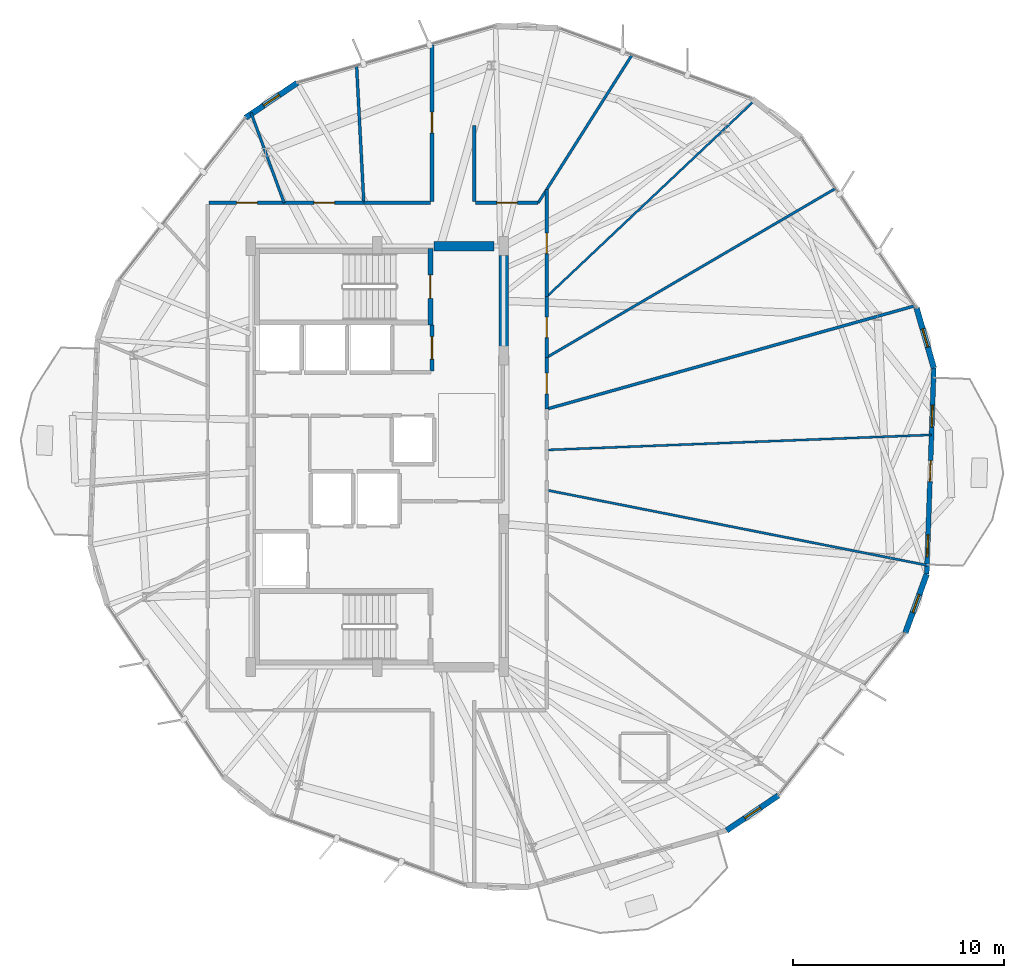
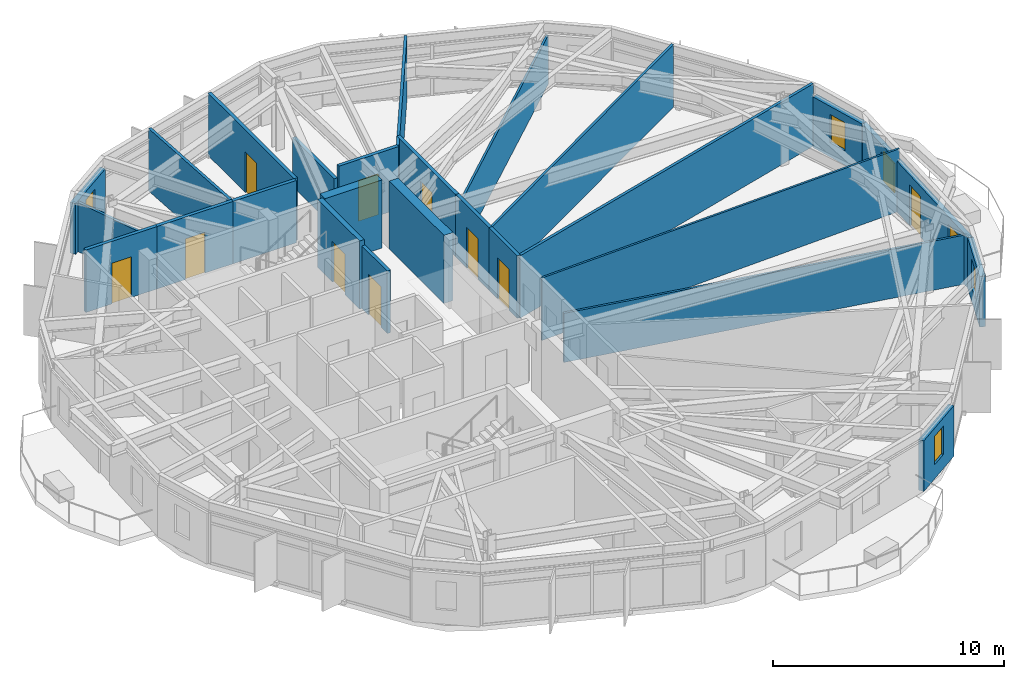
# One storey, part 26 of 30: 26 walls, 10 doors, 6 windows, 16 openings.
"""IFC4 building model written with IfcOpenShell, lengths in metres."""

from ifc_helpers import new_model, si_unit, direction, frame, frame_2d, origin, place, context, subcontext, project, spatial, rectangle, extrude, material, layer, layer_set, type_object, element, fill, save


model = new_model("IFC4")

# Units and contexts
model_context = context("Model", 3, precision=1e-05, world=origin(), true_north=direction((0.0, 1.0)))
body_context = subcontext(model_context, "Body", "Model", "MODEL_VIEW")
ifc_project = project(units=[si_unit("LENGTHUNIT", "METRE"), si_unit("AREAUNIT", "SQUARE_METRE"), si_unit("VOLUMEUNIT", "CUBIC_METRE"), si_unit("PLANEANGLEUNIT", "RADIAN"), si_unit("MASSUNIT", "GRAM", prefix="KILO")], contexts=[model_context])

# Site, building, storey
site_placement = place(None, origin())
site = spatial("IfcSite", under=ifc_project, at=site_placement, CompositionType="ELEMENT")
building_placement = place(site_placement, origin())
building = spatial("IfcBuilding", under=site, at=building_placement, Name="Soratama Intermodal Tower", CompositionType="ELEMENT")
storey_placement = place(building_placement, frame((0.0, 0.0, 223.0)))
storey = spatial("IfcBuildingStorey", under=building, at=storey_placement, Name="L56", CompositionType="ELEMENT", Elevation=223.0)

# Wall, openings, door, windows
ifc_material_1 = material(Name="Concrete f'c 42 MPa", Category="concrete")
ifc_layer_1 = layer(ifc_material_1, 0.22998046875)
ifc_layer_set_1 = layer_set([ifc_layer_1], Name="Concrete f'c 42 MPa")
wall_type_1 = type_object("IfcWallType", Name="EW-BAL-230", PredefinedType="SOLIDWALL", material=ifc_layer_set_1)
wall_1_placement = place(storey_placement, frame((64.696044921875, 19.417236328125, 0.0), z_axis=(0.0, 0.0, 1.0), x_axis=(0.034536942247, 0.999403421857, 0.0)))
wall_1 = element("IfcWall", 1, at=wall_1_placement, inside=storey, type_object=wall_type_1, Name="L56 Terrace Wall F09", PredefinedType="SOLIDWALL", context=body_context, shape_type="SweptSolid", body=[
    extrude(rectangle(XDim=9.797607421875, YDim=0.22998046875, at=frame_2d((4.89892578125, 0.0))), origin(), (0.0, 0.0, 1.0), 2.678955078125),
])
opening_1_placement = place(wall_1_placement, frame((4.398681640625, 0.0, 0.0)))
opening_1 = element("IfcOpeningElement", 2, at=opening_1_placement, cuts=wall_1, Name="Opening ED-2", PredefinedType="OPENING", context=body_context, shape_type="SweptSolid", body=[
    extrude(rectangle(XDim=1.0, YDim=2.14990234375, at=frame_2d((0.5, 1.074951171875))), frame((0.0, 0.125, 0.0), z_axis=(0.0, -1.0, 0.0), x_axis=(1.0, 0.0, 0.0)), (0.0, 0.0, 1.0), 0.25),
])
opening_2_placement = place(wall_1_placement, frame((0.818115234375, 0.0, 0.719970703125)))
opening_2 = element("IfcOpeningElement", 3, at=opening_2_placement, cuts=wall_1, Name="Opening WN-5", PredefinedType="OPENING", context=body_context, shape_type="SweptSolid", body=[
    extrude(rectangle(XDim=1.050048828125, YDim=1.550048828125, at=frame_2d((0.52490234375, 0.77490234375))), frame((0.0, 0.125, 0.0), z_axis=(0.0, -1.0, 0.0), x_axis=(1.0, 0.0, 0.0)), (0.0, 0.0, 1.0), 0.25),
])
opening_3_placement = place(wall_1_placement, frame((6.984130859375, 0.0, 0.719970703125)))
opening_3 = element("IfcOpeningElement", 4, at=opening_3_placement, cuts=wall_1, Name="Opening WN-5", PredefinedType="OPENING", context=body_context, shape_type="SweptSolid", body=[
    extrude(rectangle(XDim=1.050048828125, YDim=1.550048828125, at=frame_2d((0.52490234375, 0.77490234375))), frame((0.0, 0.125, 0.0), z_axis=(0.0, -1.0, 0.0), x_axis=(1.0, 0.0, 0.0)), (0.0, 0.0, 1.0), 0.25),
])
ifc_material_2 = material(Name="Double-glazed aluminium door", Category="aluminium")
door_type_1 = type_object("IfcDoorType", Name="DR-BAL-1000", OperationType="NOTDEFINED", PredefinedType="DOOR", material=ifc_material_2)
door_1_placement = place(opening_1_placement, origin())
door_1 = element("IfcDoor", 5, at=door_1_placement, inside=storey, type_object=door_type_1, Name="L56 Balcony Door F09", OperationType="SINGLE_SWING_LEFT", OverallHeight=2.14990234375, OverallWidth=1.0, PredefinedType="DOOR", context=body_context, shape_type="SweptSolid", body=[
    extrude(rectangle(XDim=1.0, YDim=2.14990234375, at=frame_2d((0.5, 1.074951171875))), frame((0.0, 0.02490234375, 0.0), z_axis=(0.0, -1.0, 0.0), x_axis=(1.0, 0.0, 0.0)), (0.0, 0.0, 1.0), 0.050048828125),
])
fill(opening_1, door_1)
ifc_material_3 = material(Name="Double-glazed aluminium window", Category="aluminium")
window_type_1 = type_object("IfcWindowType", Name="WN-FAC-1050", PartitioningType="SINGLE_PANEL", PredefinedType="WINDOW", material=ifc_material_3)
window_1_placement = place(opening_2_placement, origin())
window_1 = element("IfcWindow", 6, at=window_1_placement, inside=storey, type_object=window_type_1, Name="L56 Window A F09", OverallHeight=1.550048828125, OverallWidth=1.050048828125, PartitioningType="SINGLE_PANEL", PredefinedType="WINDOW", context=body_context, shape_type="SweptSolid", body=[
    extrude(rectangle(XDim=1.050048828125, YDim=1.550048828125, at=frame_2d((0.52490234375, 0.77490234375))), frame((0.0, 0.030029296875, 0.0), z_axis=(0.0, -1.0, 0.0), x_axis=(1.0, 0.0, 0.0)), (0.0, 0.0, 1.0), 0.06005859375),
])
fill(opening_2, window_1)
window_2_placement = place(opening_3_placement, origin())
window_2 = element("IfcWindow", 7, at=window_2_placement, inside=storey, type_object=window_type_1, Name="L56 Window B F09", OverallHeight=1.550048828125, OverallWidth=1.050048828125, PartitioningType="SINGLE_PANEL", PredefinedType="WINDOW", context=body_context, shape_type="SweptSolid", body=[
    extrude(rectangle(XDim=1.050048828125, YDim=1.550048828125, at=frame_2d((0.52490234375, 0.77490234375))), frame((0.0, 0.030029296875, 0.0), z_axis=(0.0, -1.0, 0.0), x_axis=(1.0, 0.0, 0.0)), (0.0, 0.0, 1.0), 0.06005859375),
])
fill(opening_3, window_2)

# Wall, opening, window
ifc_material_4 = material(Name="Concrete f'c 42 MPa", Category="concrete")
ifc_layer_2 = layer(ifc_material_4, 0.27001953125)
ifc_layer_set_2 = layer_set([ifc_layer_2], Name="Concrete f'c 42 MPa")
wall_type_2 = type_object("IfcWallType", Name="EW-CRN-270", PredefinedType="SOLIDWALL", material=ifc_layer_set_2)
wall_2_placement = place(storey_placement, frame((34.805908203125, 42.753173828125, 0.0), z_axis=(0.0, 0.0, 1.0), x_axis=(-0.828845811755, -0.559477095453, 0.0)))
wall_2 = element("IfcWall", 8, at=wall_2_placement, inside=storey, type_object=wall_type_2, Name="L56 Corner Closure Wall 02", PredefinedType="SOLIDWALL", context=body_context, shape_type="SweptSolid", body=[
    extrude(rectangle(XDim=2.966552734375, YDim=0.27001953125, at=frame_2d((1.4833984375, 0.0))), origin(), (0.0, 0.0, 1.0), 2.678955078125),
])
opening_4_placement = place(wall_2_placement, frame((1.033203125, 0.0, 0.75)))
opening_4 = element("IfcOpeningElement", 9, at=opening_4_placement, cuts=wall_2, Name="Opening WN-6", PredefinedType="OPENING", context=body_context, shape_type="SweptSolid", body=[
    extrude(rectangle(XDim=0.89990234375, YDim=1.5, at=frame_2d((0.449951171875, 0.75))), frame((0.0, 0.14501953125, 0.0), z_axis=(0.0, -1.0, 0.0), x_axis=(1.0, 0.0, 0.0)), (0.0, 0.0, 1.0), 0.2900390625),
])
ifc_material_5 = material(Name="Double-glazed aluminium window", Category="aluminium")
window_type_2 = type_object("IfcWindowType", Name="WN-FAC-900", PartitioningType="SINGLE_PANEL", PredefinedType="WINDOW", material=ifc_material_5)
window_3_placement = place(opening_4_placement, origin())
window_3 = element("IfcWindow", 10, at=window_3_placement, inside=storey, type_object=window_type_2, Name="L56 Corner Window 02", OverallHeight=1.5, OverallWidth=0.89990234375, PartitioningType="SINGLE_PANEL", PredefinedType="WINDOW", context=body_context, shape_type="SweptSolid", body=[
    extrude(rectangle(XDim=0.89990234375, YDim=1.5, at=frame_2d((0.449951171875, 0.75))), frame((0.0, 0.030029296875, 0.0), z_axis=(0.0, -1.0, 0.0), x_axis=(1.0, 0.0, 0.0)), (0.0, 0.0, 1.0), 0.06005859375),
])
fill(opening_4, window_3)

wall_3_placement = place(storey_placement, frame((55.194091796875, 7.246826171875, 0.0), z_axis=(0.0, 0.0, 1.0), x_axis=(0.828845811755, 0.559477095453, 0.0)))
wall_3 = element("IfcWall", 11, at=wall_3_placement, inside=storey, type_object=wall_type_2, Name="L56 Corner Closure Wall 07", PredefinedType="SOLIDWALL", context=body_context, shape_type="SweptSolid", body=[
    extrude(rectangle(XDim=2.966552734375, YDim=0.27001953125, at=frame_2d((1.4833984375, 0.0))), origin(), (0.0, 0.0, 1.0), 2.678955078125),
])
opening_5_placement = place(wall_3_placement, frame((1.033203125, 0.0, 0.75)))
opening_5 = element("IfcOpeningElement", 12, at=opening_5_placement, cuts=wall_3, Name="Opening WN-6", PredefinedType="OPENING", context=body_context, shape_type="SweptSolid", body=[
    extrude(rectangle(XDim=0.89990234375, YDim=1.5, at=frame_2d((0.449951171875, 0.75))), frame((0.0, 0.14501953125, 0.0), z_axis=(0.0, -1.0, 0.0), x_axis=(1.0, 0.0, 0.0)), (0.0, 0.0, 1.0), 0.2900390625),
])
window_4_placement = place(opening_5_placement, origin())
window_4 = element("IfcWindow", 13, at=window_4_placement, inside=storey, type_object=window_type_2, Name="L56 Corner Window 07", OverallHeight=1.5, OverallWidth=0.89990234375, PartitioningType="SINGLE_PANEL", PredefinedType="WINDOW", context=body_context, shape_type="SweptSolid", body=[
    extrude(rectangle(XDim=0.89990234375, YDim=1.5, at=frame_2d((0.449951171875, 0.75))), frame((0.0, 0.030029296875, 0.0), z_axis=(0.0, -1.0, 0.0), x_axis=(1.0, 0.0, 0.0)), (0.0, 0.0, 1.0), 0.06005859375),
])
fill(opening_5, window_4)

wall_4_placement = place(storey_placement, frame((63.682373046875, 16.62939453125, 0.0), z_axis=(0.0, 0.0, 1.0), x_axis=(0.341716630291, 0.939803034993, 0.0)))
wall_4 = element("IfcWall", 14, at=wall_4_placement, inside=storey, type_object=wall_type_2, Name="L56 Corner Closure Wall 08", PredefinedType="SOLIDWALL", context=body_context, shape_type="SweptSolid", body=[
    extrude(rectangle(XDim=2.96630859375, YDim=0.27001953125, at=frame_2d((1.483154296875, 0.0))), origin(), (0.0, 0.0, 1.0), 2.678955078125),
])
opening_6_placement = place(wall_4_placement, frame((1.033203125, 0.0, 0.75)))
opening_6 = element("IfcOpeningElement", 15, at=opening_6_placement, cuts=wall_4, Name="Opening WN-6", PredefinedType="OPENING", context=body_context, shape_type="SweptSolid", body=[
    extrude(rectangle(XDim=0.89990234375, YDim=1.5, at=frame_2d((0.449951171875, 0.75))), frame((0.0, 0.14501953125, 0.0), z_axis=(0.0, -1.0, 0.0), x_axis=(1.0, 0.0, 0.0)), (0.0, 0.0, 1.0), 0.2900390625),
])
window_5_placement = place(opening_6_placement, origin())
window_5 = element("IfcWindow", 16, at=window_5_placement, inside=storey, type_object=window_type_2, Name="L56 Corner Window 08", OverallHeight=1.5, OverallWidth=0.89990234375, PartitioningType="SINGLE_PANEL", PredefinedType="WINDOW", context=body_context, shape_type="SweptSolid", body=[
    extrude(rectangle(XDim=0.89990234375, YDim=1.5, at=frame_2d((0.449951171875, 0.75))), frame((0.0, 0.030029296875, 0.0), z_axis=(0.0, -1.0, 0.0), x_axis=(1.0, 0.0, 0.0)), (0.0, 0.0, 1.0), 0.06005859375),
])
fill(opening_6, window_5)

wall_5_placement = place(storey_placement, frame((65.034423828125, 29.208984375, 0.0), z_axis=(0.0, 0.0, 1.0), x_axis=(-0.275927353379, 0.961178493131, 0.0)))
wall_5 = element("IfcWall", 17, at=wall_5_placement, inside=storey, type_object=wall_type_2, Name="L56 Corner Closure Wall 09", PredefinedType="SOLIDWALL", context=body_context, shape_type="SweptSolid", body=[
    extrude(rectangle(XDim=2.966796875, YDim=0.27001953125, at=frame_2d((1.4833984375, 0.0))), origin(), (0.0, 0.0, 1.0), 2.678955078125),
])
opening_7_placement = place(wall_5_placement, frame((1.033203125, 0.0, 0.75)))
opening_7 = element("IfcOpeningElement", 18, at=opening_7_placement, cuts=wall_5, Name="Opening WN-6", PredefinedType="OPENING", context=body_context, shape_type="SweptSolid", body=[
    extrude(rectangle(XDim=0.89990234375, YDim=1.5, at=frame_2d((0.449951171875, 0.75))), frame((0.0, 0.14501953125, 0.0), z_axis=(0.0, -1.0, 0.0), x_axis=(1.0, 0.0, 0.0)), (0.0, 0.0, 1.0), 0.2900390625),
])
window_6_placement = place(opening_7_placement, origin())
window_6 = element("IfcWindow", 19, at=window_6_placement, inside=storey, type_object=window_type_2, Name="L56 Corner Window 09", OverallHeight=1.5, OverallWidth=0.89990234375, PartitioningType="SINGLE_PANEL", PredefinedType="WINDOW", context=body_context, shape_type="SweptSolid", body=[
    extrude(rectangle(XDim=0.89990234375, YDim=1.5, at=frame_2d((0.449951171875, 0.75))), frame((0.0, 0.030029296875, 0.0), z_axis=(0.0, -1.0, 0.0), x_axis=(1.0, 0.0, 0.0)), (0.0, 0.0, 1.0), 0.06005859375),
])
fill(opening_7, window_6)

# Wall, opening, door
ifc_material_6 = material(Name="Fire-rated gypsum stud partition", Category="concrete")
ifc_layer_3 = layer(ifc_material_6, 0.169921875)
ifc_layer_set_3 = layer_set([ifc_layer_3], Name="Fire-rated gypsum stud partition")
wall_type_3 = type_object("IfcWallType", Name="IW-PART-R170", PredefinedType="PARTITIONING", material=ifc_layer_set_3)
wall_6_placement = place(storey_placement, frame((41.199951171875, 37.1201171875, 0.0), z_axis=(0.0, 0.0, 1.0), x_axis=(0.0, 1.0, 0.0)))
wall_6 = element("IfcWall", 20, at=wall_6_placement, inside=storey, type_object=wall_type_3, Name="L56 Partition W-L56-TP011", PredefinedType="PARTITIONING", context=body_context, shape_type="SweptSolid", body=[
    extrude(rectangle(XDim=7.468994140625, YDim=0.169921875, at=frame_2d((3.734375, 0.0))), origin(), (0.0, 0.0, 1.0), 3.300048828125),
])
opening_8_placement = place(wall_6_placement, frame((3.260009765625, 0.0, 0.0)))
opening_8 = element("IfcOpeningElement", 21, at=opening_8_placement, cuts=wall_6, Name="Opening ID-5", PredefinedType="OPENING", context=body_context, shape_type="SweptSolid", body=[
    extrude(rectangle(XDim=0.97998046875, YDim=2.14990234375, at=frame_2d((0.489990234375, 1.074951171875))), frame((0.0, 0.094970703125, 0.0), z_axis=(0.0, -1.0, 0.0), x_axis=(1.0, 0.0, 0.0)), (0.0, 0.0, 1.0), 0.18994140625),
])
ifc_material_7 = material(Name="Solid hardwood acoustic door", Category="wood")
door_type_2 = type_object("IfcDoorType", Name="DR-OFF-980", OperationType="NOTDEFINED", PredefinedType="DOOR", material=ifc_material_7)
door_2_placement = place(opening_8_placement, origin())
door_2 = element("IfcDoor", 22, at=door_2_placement, inside=storey, type_object=door_type_2, Name="L56 Door D-L56-TP002", OperationType="SINGLE_SWING_LEFT", OverallHeight=2.14990234375, OverallWidth=0.97998046875, PredefinedType="DOOR", context=body_context, shape_type="SweptSolid", body=[
    extrude(rectangle(XDim=0.97998046875, YDim=2.14990234375, at=frame_2d((0.489990234375, 1.074951171875))), frame((0.0, 0.02490234375, 0.0), z_axis=(0.0, -1.0, 0.0), x_axis=(1.0, 0.0, 0.0)), (0.0, 0.0, 1.0), 0.050048828125),
])
fill(opening_8, door_2)

wall_7_placement = place(storey_placement, frame((46.64990234375, 37.69189453125, 0.0), z_axis=(0.0, 0.0, 1.0), x_axis=(0.0, -1.0, 0.0)))
wall_7 = element("IfcWall", 23, at=wall_7_placement, inside=storey, type_object=wall_type_3, Name="L56 Partition W-L56-TP023", PredefinedType="PARTITIONING", context=body_context, shape_type="SweptSolid", body=[
    extrude(rectangle(XDim=5.094970703125, YDim=0.169921875, at=frame_2d((2.54736328125, 0.0))), origin(), (0.0, 0.0, 1.0), 3.300048828125),
])
opening_9_placement = place(wall_7_placement, frame((2.072021484375, 0.0, 0.0)))
opening_9 = element("IfcOpeningElement", 24, at=opening_9_placement, cuts=wall_7, Name="Opening ID-5", PredefinedType="OPENING", context=body_context, shape_type="SweptSolid", body=[
    extrude(rectangle(XDim=0.97998046875, YDim=2.14990234375, at=frame_2d((0.489990234375, 1.074951171875))), frame((0.0, 0.094970703125, 0.0), z_axis=(0.0, -1.0, 0.0), x_axis=(1.0, 0.0, 0.0)), (0.0, 0.0, 1.0), 0.18994140625),
])
door_3_placement = place(opening_9_placement, origin())
door_3 = element("IfcDoor", 25, at=door_3_placement, inside=storey, type_object=door_type_2, Name="L56 Door D-L56-TP008", OperationType="SINGLE_SWING_LEFT", OverallHeight=2.14990234375, OverallWidth=0.97998046875, PredefinedType="DOOR", context=body_context, shape_type="SweptSolid", body=[
    extrude(rectangle(XDim=0.97998046875, YDim=2.14990234375, at=frame_2d((0.489990234375, 1.074951171875))), frame((0.0, 0.02490234375, 0.0), z_axis=(0.0, -1.0, 0.0), x_axis=(1.0, 0.0, 0.0)), (0.0, 0.0, 1.0), 0.050048828125),
])
fill(opening_9, door_3)

wall_8_placement = place(storey_placement, frame((34.177978515625, 37.050048828125, 0.0), z_axis=(0.0, 0.0, 1.0), x_axis=(1.0, 0.0, 0.0)))
wall_8 = element("IfcWall", 26, at=wall_8_placement, inside=storey, type_object=wall_type_3, Name="L56 Partition W-L56-TP028", PredefinedType="PARTITIONING", context=body_context, shape_type="SweptSolid", body=[
    extrude(rectangle(XDim=3.784912109375, YDim=0.169921875, at=frame_2d((1.892578125, 0.0))), origin(), (0.0, 0.0, 1.0), 3.300048828125),
])
opening_10_placement = place(wall_8_placement, frame((1.41796875, 0.0, 0.0)))
opening_10 = element("IfcOpeningElement", 27, at=opening_10_placement, cuts=wall_8, Name="Opening ID-5", PredefinedType="OPENING", context=body_context, shape_type="SweptSolid", body=[
    extrude(rectangle(XDim=0.97998046875, YDim=2.14990234375, at=frame_2d((0.489990234375, 1.074951171875))), frame((0.0, 0.094970703125, 0.0), z_axis=(0.0, -1.0, 0.0), x_axis=(1.0, 0.0, 0.0)), (0.0, 0.0, 1.0), 0.18994140625),
])
door_4_placement = place(opening_10_placement, origin())
door_4 = element("IfcDoor", 28, at=door_4_placement, inside=storey, type_object=door_type_2, Name="L56 Door D-L56-TP012", OperationType="SINGLE_SWING_LEFT", OverallHeight=2.14990234375, OverallWidth=0.97998046875, PredefinedType="DOOR", context=body_context, shape_type="SweptSolid", body=[
    extrude(rectangle(XDim=0.97998046875, YDim=2.14990234375, at=frame_2d((0.489990234375, 1.074951171875))), frame((0.0, 0.02490234375, 0.0), z_axis=(0.0, -1.0, 0.0), x_axis=(1.0, 0.0, 0.0)), (0.0, 0.0, 1.0), 0.050048828125),
])
fill(opening_10, door_4)

wall_9_placement = place(storey_placement, frame((30.6201171875, 37.050048828125, 0.0), z_axis=(0.0, 0.0, 1.0), x_axis=(1.0, 0.0, 0.0)))
wall_9 = element("IfcWall", 29, at=wall_9_placement, inside=storey, type_object=wall_type_3, Name="L56 Partition W-L56-TP029", PredefinedType="PARTITIONING", context=body_context, shape_type="SweptSolid", body=[
    extrude(rectangle(XDim=3.557861328125, YDim=0.169921875, at=frame_2d((1.77880859375, 0.0))), origin(), (0.0, 0.0, 1.0), 3.300048828125),
])
opening_11_placement = place(wall_9_placement, frame((1.303955078125, 0.0, 0.0)))
opening_11 = element("IfcOpeningElement", 30, at=opening_11_placement, cuts=wall_9, Name="Opening ID-5", PredefinedType="OPENING", context=body_context, shape_type="SweptSolid", body=[
    extrude(rectangle(XDim=0.97998046875, YDim=2.14990234375, at=frame_2d((0.489990234375, 1.074951171875))), frame((0.0, 0.094970703125, 0.0), z_axis=(0.0, -1.0, 0.0), x_axis=(1.0, 0.0, 0.0)), (0.0, 0.0, 1.0), 0.18994140625),
])
door_5_placement = place(opening_11_placement, origin())
door_5 = element("IfcDoor", 31, at=door_5_placement, inside=storey, type_object=door_type_2, Name="L56 Door D-L56-TP013", OperationType="SINGLE_SWING_RIGHT", OverallHeight=2.14990234375, OverallWidth=0.97998046875, PredefinedType="DOOR", context=body_context, shape_type="SweptSolid", body=[
    extrude(rectangle(XDim=0.97998046875, YDim=2.14990234375, at=frame_2d((0.489990234375, 1.074951171875))), frame((0.0, 0.02490234375, 0.0), z_axis=(0.0, -1.0, 0.0), x_axis=(1.0, 0.0, 0.0)), (0.0, 0.0, 1.0), 0.050048828125),
])
fill(opening_11, door_5)

# Wall
wall_10_placement = place(storey_placement, frame((37.962890625, 37.050048828125, 0.0), z_axis=(0.0, 0.0, 1.0), x_axis=(1.0, 0.0, 0.0)))
element("IfcWall", 32, at=wall_10_placement, inside=storey, type_object=wall_type_3, Name="L56 Partition W-L56-TP032", PredefinedType="PARTITIONING", context=body_context, shape_type="SweptSolid", body=[
    extrude(rectangle(XDim=3.1669921875, YDim=0.169921875, at=frame_2d((1.58349609375, 0.0))), origin(), (0.0, 0.0, 1.0), 3.300048828125),
])

# Wall, opening, door
wall_11_placement = place(storey_placement, frame((43.27001953125, 37.050048828125, 0.0), z_axis=(0.0, 0.0, 1.0), x_axis=(1.0, 0.0, 0.0)))
wall_11 = element("IfcWall", 33, at=wall_11_placement, inside=storey, type_object=wall_type_3, Name="L56 Partition W-L56-TP035", PredefinedType="PARTITIONING", context=body_context, shape_type="SweptSolid", body=[
    extrude(rectangle(XDim=2.972900390625, YDim=0.169921875, at=frame_2d((1.486328125, 0.0))), origin(), (0.0, 0.0, 1.0), 3.300048828125),
])
opening_12_placement = place(wall_11_placement, frame((1.010986328125, 0.0, 0.0)))
opening_12 = element("IfcOpeningElement", 34, at=opening_12_placement, cuts=wall_11, Name="Opening ID-5", PredefinedType="OPENING", context=body_context, shape_type="SweptSolid", body=[
    extrude(rectangle(XDim=0.97998046875, YDim=2.14990234375, at=frame_2d((0.489990234375, 1.074951171875))), frame((0.0, 0.094970703125, 0.0), z_axis=(0.0, -1.0, 0.0), x_axis=(1.0, 0.0, 0.0)), (0.0, 0.0, 1.0), 0.18994140625),
])
door_6_placement = place(opening_12_placement, origin())
door_6 = element("IfcDoor", 35, at=door_6_placement, inside=storey, type_object=door_type_2, Name="L56 Door D-L56-TP015", OperationType="SINGLE_SWING_RIGHT", OverallHeight=2.14990234375, OverallWidth=0.97998046875, PredefinedType="DOOR", context=body_context, shape_type="SweptSolid", body=[
    extrude(rectangle(XDim=0.97998046875, YDim=2.14990234375, at=frame_2d((0.489990234375, 1.074951171875))), frame((0.0, 0.02490234375, 0.0), z_axis=(0.0, -1.0, 0.0), x_axis=(1.0, 0.0, 0.0)), (0.0, 0.0, 1.0), 0.050048828125),
])
fill(opening_12, door_6)

wall_12_placement = place(storey_placement, frame((46.64990234375, 32.596923828125, 0.0), z_axis=(0.0, 0.0, 1.0), x_axis=(0.0, -1.0, 0.0)))
wall_12 = element("IfcWall", 36, at=wall_12_placement, inside=storey, type_object=wall_type_3, Name="L56 Partition W-L56-TP036", PredefinedType="PARTITIONING", context=body_context, shape_type="SweptSolid", body=[
    extrude(rectangle(XDim=2.885986328125, YDim=0.169921875, at=frame_2d((1.44287109375, 0.0))), origin(), (0.0, 0.0, 1.0), 3.300048828125),
])
opening_13_placement = place(wall_12_placement, frame((0.968017578125, 0.0, 0.0)))
opening_13 = element("IfcOpeningElement", 37, at=opening_13_placement, cuts=wall_12, Name="Opening ID-5", PredefinedType="OPENING", context=body_context, shape_type="SweptSolid", body=[
    extrude(rectangle(XDim=0.97998046875, YDim=2.14990234375, at=frame_2d((0.489990234375, 1.074951171875))), frame((0.0, 0.094970703125, 0.0), z_axis=(0.0, -1.0, 0.0), x_axis=(1.0, 0.0, 0.0)), (0.0, 0.0, 1.0), 0.18994140625),
])
door_7_placement = place(opening_13_placement, origin())
door_7 = element("IfcDoor", 38, at=door_7_placement, inside=storey, type_object=door_type_2, Name="L56 Door D-L56-TP016", OperationType="SINGLE_SWING_LEFT", OverallHeight=2.14990234375, OverallWidth=0.97998046875, PredefinedType="DOOR", context=body_context, shape_type="SweptSolid", body=[
    extrude(rectangle(XDim=0.97998046875, YDim=2.14990234375, at=frame_2d((0.489990234375, 1.074951171875))), frame((0.0, 0.02490234375, 0.0), z_axis=(0.0, -1.0, 0.0), x_axis=(1.0, 0.0, 0.0)), (0.0, 0.0, 1.0), 0.050048828125),
])
fill(opening_13, door_7)

wall_13_placement = place(storey_placement, frame((46.64990234375, 29.7109375, 0.0), z_axis=(0.0, 0.0, 1.0), x_axis=(0.0, -1.0, 0.0)))
wall_13 = element("IfcWall", 39, at=wall_13_placement, inside=storey, type_object=wall_type_3, Name="L56 Partition W-L56-TP040", PredefinedType="PARTITIONING", context=body_context, shape_type="SweptSolid", body=[
    extrude(rectangle(XDim=2.452880859375, YDim=0.169921875, at=frame_2d((1.2265625, 0.0))), origin(), (0.0, 0.0, 1.0), 3.300048828125),
])
opening_14_placement = place(wall_13_placement, frame((0.7509765625, 0.0, 0.0)))
opening_14 = element("IfcOpeningElement", 40, at=opening_14_placement, cuts=wall_13, Name="Opening ID-5", PredefinedType="OPENING", context=body_context, shape_type="SweptSolid", body=[
    extrude(rectangle(XDim=0.97998046875, YDim=2.14990234375, at=frame_2d((0.489990234375, 1.074951171875))), frame((0.0, 0.094970703125, 0.0), z_axis=(0.0, -1.0, 0.0), x_axis=(1.0, 0.0, 0.0)), (0.0, 0.0, 1.0), 0.18994140625),
])
door_8_placement = place(opening_14_placement, origin())
door_8 = element("IfcDoor", 41, at=door_8_placement, inside=storey, type_object=door_type_2, Name="L56 Door D-L56-TP019", OperationType="SINGLE_SWING_RIGHT", OverallHeight=2.14990234375, OverallWidth=0.97998046875, PredefinedType="DOOR", context=body_context, shape_type="SweptSolid", body=[
    extrude(rectangle(XDim=0.97998046875, YDim=2.14990234375, at=frame_2d((0.489990234375, 1.074951171875))), frame((0.0, 0.02490234375, 0.0), z_axis=(0.0, -1.0, 0.0), x_axis=(1.0, 0.0, 0.0)), (0.0, 0.0, 1.0), 0.050048828125),
])
fill(opening_14, door_8)

wall_14_placement = place(storey_placement, frame((41.199951171875, 29.070068359375, 0.0), z_axis=(0.0, 0.0, 1.0), x_axis=(0.0, 1.0, 0.0)))
wall_14 = element("IfcWall", 42, at=wall_14_placement, inside=storey, type_object=wall_type_3, Name="L56 Partition W-L56-TP041", PredefinedType="PARTITIONING", context=body_context, shape_type="SweptSolid", body=[
    extrude(rectangle(XDim=2.18994140625, YDim=0.169921875, at=frame_2d((1.094970703125, 0.0))), origin(), (0.0, 0.0, 1.0), 3.300048828125),
])
opening_15_placement = place(wall_14_placement, frame((0.554931640625, 0.0, 0.0)))
opening_15 = element("IfcOpeningElement", 43, at=opening_15_placement, cuts=wall_14, Name="Opening ID-1", PredefinedType="OPENING", context=body_context, shape_type="SweptSolid", body=[
    extrude(rectangle(XDim=1.080078125, YDim=2.14990234375, at=frame_2d((0.5400390625, 1.074951171875))), frame((0.0, 0.094970703125, 0.0), z_axis=(0.0, -1.0, 0.0), x_axis=(1.0, 0.0, 0.0)), (0.0, 0.0, 1.0), 0.18994140625),
])
ifc_material_8 = material(Name="Solid hardwood acoustic door", Category="wood")
door_type_3 = type_object("IfcDoorType", Name="DR-LOB-FD60", OperationType="NOTDEFINED", PredefinedType="DOOR", material=ifc_material_8)
door_9_placement = place(opening_15_placement, origin())
door_9 = element("IfcDoor", 44, at=door_9_placement, inside=storey, type_object=door_type_3, Name="L56 Door D-L56-TP020", OperationType="SINGLE_SWING_LEFT", OverallHeight=2.14990234375, OverallWidth=1.080078125, PredefinedType="DOOR", context=body_context, shape_type="SweptSolid", body=[
    extrude(rectangle(XDim=1.080078125, YDim=2.14990234375, at=frame_2d((0.5400390625, 1.074951171875))), frame((0.0, 0.02490234375, 0.0), z_axis=(0.0, -1.0, 0.0), x_axis=(1.0, 0.0, 0.0)), (0.0, 0.0, 1.0), 0.050048828125),
])
fill(opening_15, door_9)

# Walls
wall_15_placement = place(storey_placement, frame((43.199951171875, 40.735107421875, 0.0), z_axis=(0.0, 0.0, 1.0), x_axis=(0.0, -1.0, 0.0)))
element("IfcWall", 45, at=wall_15_placement, inside=storey, type_object=wall_type_3, Name="L56 Partition W-L56-TP054", PredefinedType="PARTITIONING", context=body_context, shape_type="SweptSolid", body=[
    extrude(rectangle(XDim=3.614990234375, YDim=0.169921875, at=frame_2d((1.8076171875, 0.0))), origin(), (0.0, 0.0, 1.0), 2.594970703125),
])
ifc_material_9 = material(Name="Fire-rated gypsum stud partition", Category="concrete")
ifc_layer_4 = layer(ifc_material_9, 0.10009765625)
ifc_layer_set_4 = layer_set([ifc_layer_4], Name="Fire-rated gypsum stud partition")
wall_type_4 = type_object("IfcWallType", Name="IW-PART-S100", PredefinedType="PARTITIONING", material=ifc_layer_set_4)
wall_16_placement = place(storey_placement, frame((64.925048828125, 26.032958984375, 0.0), z_axis=(0.0, 0.0, 1.0), x_axis=(-0.999231161381, -0.039205689947, 0.0)))
element("IfcWall", 46, at=wall_16_placement, inside=storey, type_object=wall_type_4, Name="L56 Partition W-L56-TP002", PredefinedType="PARTITIONING", context=body_context, shape_type="SweptSolid", body=[
    extrude(rectangle(XDim=18.289306640625, YDim=0.10009765625, at=frame_2d((9.14453125, 0.0))), origin(), (0.0, 0.0, 1.0), 3.300048828125),
])
wall_17_placement = place(storey_placement, frame((46.64990234375, 32.596923828125, 0.0), z_axis=(0.0, 0.0, 1.0), x_axis=(0.727298938645, 0.686320809713, 0.0)))
element("IfcWall", 47, at=wall_17_placement, inside=storey, type_object=wall_type_4, Name="L56 Partition W-L56-TP007", PredefinedType="PARTITIONING", context=body_context, shape_type="SweptSolid", body=[
    extrude(rectangle(XDim=13.595703125, YDim=0.10009765625, at=frame_2d((6.7978515625, 0.0))), origin(), (0.0, 0.0, 1.0), 2.594970703125),
])
ifc_material_10 = material(Name="Fire-rated gypsum stud partition", Category="concrete")
ifc_layer_5 = layer(ifc_material_10, 0.110107421875)
ifc_layer_set_5 = layer_set([ifc_layer_5], Name="Fire-rated gypsum stud partition")
wall_type_5 = type_object("IfcWallType", Name="IW-PART-S110", PredefinedType="PARTITIONING", material=ifc_layer_set_5)
wall_18_placement = place(storey_placement, frame((46.64990234375, 23.409912109375, 0.0), z_axis=(0.0, 0.0, 1.0), x_axis=(0.981030978901, -0.193851021244, 0.0)))
element("IfcWall", 48, at=wall_18_placement, inside=storey, type_object=wall_type_5, Name="L56 Partition W-L56-TP001", PredefinedType="PARTITIONING", context=body_context, shape_type="SweptSolid", body=[
    extrude(rectangle(XDim=18.41015625, YDim=0.110107421875, at=frame_2d((9.205078125, 0.0))), origin(), (0.0, 0.0, 1.0), 2.594970703125),
])
ifc_material_11 = material(Name="Fire-rated gypsum stud partition", Category="concrete")
ifc_layer_6 = layer(ifc_material_11, 0.1201171875)
ifc_layer_set_6 = layer_set([ifc_layer_6], Name="Fire-rated gypsum stud partition")
wall_type_6 = type_object("IfcWallType", Name="IW-PART-S120", PredefinedType="PARTITIONING", material=ifc_layer_set_6)
wall_19_placement = place(storey_placement, frame((46.64990234375, 29.7109375, 0.0), z_axis=(0.0, 0.0, 1.0), x_axis=(0.863111237198, 0.505013853496, 0.0)))
element("IfcWall", 49, at=wall_19_placement, inside=storey, type_object=wall_type_6, Name="L56 Partition W-L56-TP005", PredefinedType="PARTITIONING", context=body_context, shape_type="SweptSolid", body=[
    extrude(rectangle(XDim=15.906494140625, YDim=0.1201171875, at=frame_2d((7.953125, 0.0))), origin(), (0.0, 0.0, 1.0), 3.300048828125),
])
ifc_material_12 = material(Name="Fire-rated gypsum stud partition", Category="concrete")
ifc_layer_7 = layer(ifc_material_12, 0.1298828125)
ifc_layer_set_7 = layer_set([ifc_layer_7], Name="Fire-rated gypsum stud partition")
wall_type_7 = type_object("IfcWallType", Name="IW-PART-S130", PredefinedType="PARTITIONING", material=ifc_layer_set_7)
wall_20_placement = place(storey_placement, frame((46.242919921875, 37.050048828125, 0.0), z_axis=(0.0, 0.0, 1.0), x_axis=(0.535488948364, 0.844542234693, 0.0)))
element("IfcWall", 50, at=wall_20_placement, inside=storey, type_object=wall_type_7, Name="L56 Partition W-L56-TP009", PredefinedType="PARTITIONING", context=body_context, shape_type="SweptSolid", body=[
    extrude(rectangle(XDim=8.321533203125, YDim=0.1298828125, at=frame_2d((4.16064453125, 0.0))), origin(), (0.0, 0.0, 1.0), 3.300048828125),
])
wall_21_placement = place(storey_placement, frame((34.177978515625, 37.050048828125, 0.0), z_axis=(0.0, 0.0, 1.0), x_axis=(-0.34468374513, 0.93871886944, 0.0)))
element("IfcWall", 51, at=wall_21_placement, inside=storey, type_object=wall_type_7, Name="L56 Partition W-L56-TP024", PredefinedType="PARTITIONING", context=body_context, shape_type="SweptSolid", body=[
    extrude(rectangle(XDim=4.5634765625, YDim=0.1298828125, at=frame_2d((2.28173828125, 0.0))), origin(), (0.0, 0.0, 1.0), 2.594970703125),
])
ifc_material_13 = material(Name="Fire-rated gypsum stud partition", Category="concrete")
ifc_layer_8 = layer(ifc_material_13, 0.139892578125)
ifc_layer_set_8 = layer_set([ifc_layer_8], Name="Fire-rated gypsum stud partition")
wall_type_8 = type_object("IfcWallType", Name="IW-PART-S140", PredefinedType="PARTITIONING", material=ifc_layer_set_8)
wall_22_placement = place(storey_placement, frame((46.64990234375, 27.258056640625, 0.0), z_axis=(0.0, 0.0, 1.0), x_axis=(0.962844613564, 0.27005601295, 0.0)))
element("IfcWall", 52, at=wall_22_placement, inside=storey, type_object=wall_type_8, Name="L56 Partition W-L56-TP003", PredefinedType="PARTITIONING", context=body_context, shape_type="SweptSolid", body=[
    extrude(rectangle(XDim=18.170166015625, YDim=0.139892578125, at=frame_2d((9.0849609375, 0.0))), origin(), (0.0, 0.0, 1.0), 3.300048828125),
])
wall_23_placement = place(storey_placement, frame((37.962890625, 37.050048828125, 0.0), z_axis=(0.0, 0.0, 1.0), x_axis=(-0.052908653883, 0.998599356271, 0.0)))
element("IfcWall", 53, at=wall_23_placement, inside=storey, type_object=wall_type_8, Name="L56 Partition W-L56-TP013", PredefinedType="PARTITIONING", context=body_context, shape_type="SweptSolid", body=[
    extrude(rectangle(XDim=6.52001953125, YDim=0.139892578125, at=frame_2d((3.260009765625, 0.0))), origin(), (0.0, 0.0, 1.0), 3.300048828125),
])
ifc_material_14 = material(Name="Concrete f'c 56 MPa", Category="concrete")
ifc_layer_9 = layer(ifc_material_14, 0.449951171875)
ifc_layer_set_9 = layer_set([ifc_layer_9], Name="Concrete f'c 56 MPa")
wall_type_9 = type_object("IfcWallType", Name="SW-CORE-450", PredefinedType="SHEAR", material=ifc_layer_set_9)
wall_24_placement = place(storey_placement, frame((41.300048828125, 35.0, 0.0), z_axis=(0.0, 0.0, 1.0), x_axis=(1.0, 0.0, 0.0)))
element("IfcWall", 54, at=wall_24_placement, inside=storey, type_object=wall_type_9, Name="L56 Core Shear Wall CW-NE", PredefinedType="SHEAR", context=body_context, shape_type="SweptSolid", body=[
    extrude(rectangle(XDim=2.849853515625, YDim=0.449951171875, at=frame_2d((1.4248046875, 0.0))), origin(), (0.0, 0.0, 1.0), 3.60009765625),
])
wall_25_placement = place(storey_placement, frame((44.60009765625, 29.800048828125, 0.0), z_axis=(0.0, 0.0, 1.0), x_axis=(0.0, 1.0, 0.0)))
element("IfcWall", 55, at=wall_25_placement, inside=storey, type_object=wall_type_9, Name="L56 Core Shear Wall CW-EN", PredefinedType="SHEAR", context=body_context, shape_type="SweptSolid", body=[
    extrude(rectangle(XDim=4.75, YDim=0.449951171875, at=frame_2d((2.375, 0.0))), origin(), (0.0, 0.0, 1.0), 3.60009765625),
])

# Wall, opening, door
ifc_material_15 = material(Name="Concrete f'c 56 MPa", Category="concrete")
ifc_layer_10 = layer(ifc_material_15, 0.239990234375)
ifc_layer_set_10 = layer_set([ifc_layer_10], Name="Concrete f'c 56 MPa")
wall_type_10 = type_object("IfcWallType", Name="SW-STAIR-240", PredefinedType="SHEAR", material=ifc_layer_set_10)
wall_26_placement = place(storey_placement, frame((41.1201171875, 31.260009765625, 0.0), z_axis=(0.0, 0.0, 1.0), x_axis=(0.0, 1.0, 0.0)))
wall_26 = element("IfcWall", 56, at=wall_26_placement, inside=storey, type_object=wall_type_10, Name="L56 ST-2 Shaft Shear Wall E", PredefinedType="SHEAR", context=body_context, shape_type="SweptSolid", body=[
    extrude(rectangle(XDim=3.6298828125, YDim=0.239990234375, at=frame_2d((1.81494140625, 0.0))), origin(), (0.0, 0.0, 1.0), 3.60009765625),
])
opening_16_placement = place(wall_26_placement, frame((1.2548828125, 0.0, 0.0)))
opening_16 = element("IfcOpeningElement", 57, at=opening_16_placement, cuts=wall_26, Name="Opening SD-1", PredefinedType="OPENING", context=body_context, shape_type="SweptSolid", body=[
    extrude(rectangle(XDim=1.1201171875, YDim=2.14990234375, at=frame_2d((0.56005859375, 1.074951171875))), frame((0.0, 0.1298828125, 0.0), z_axis=(0.0, -1.0, 0.0), x_axis=(1.0, 0.0, 0.0)), (0.0, 0.0, 1.0), 0.260009765625),
])
ifc_material_16 = material(Name="Steel fire door", Category="steel")
door_type_4 = type_object("IfcDoorType", Name="DR-STAIR-FD90", OperationType="NOTDEFINED", PredefinedType="DOOR", material=ifc_material_16)
door_10_placement = place(opening_16_placement, origin())
door_10 = element("IfcDoor", 58, at=door_10_placement, inside=storey, type_object=door_type_4, Name="L56 ST-2 Exit Stair Door", OperationType="SINGLE_SWING_RIGHT", OverallHeight=2.14990234375, OverallWidth=1.1201171875, PredefinedType="DOOR", context=body_context, shape_type="SweptSolid", body=[
    extrude(rectangle(XDim=1.1201171875, YDim=2.14990234375, at=frame_2d((0.56005859375, 1.074951171875))), frame((0.0, 0.02490234375, 0.0), z_axis=(0.0, -1.0, 0.0), x_axis=(1.0, 0.0, 0.0)), (0.0, 0.0, 1.0), 0.050048828125),
])
fill(opening_16, door_10)

save(model, "model.ifc")
